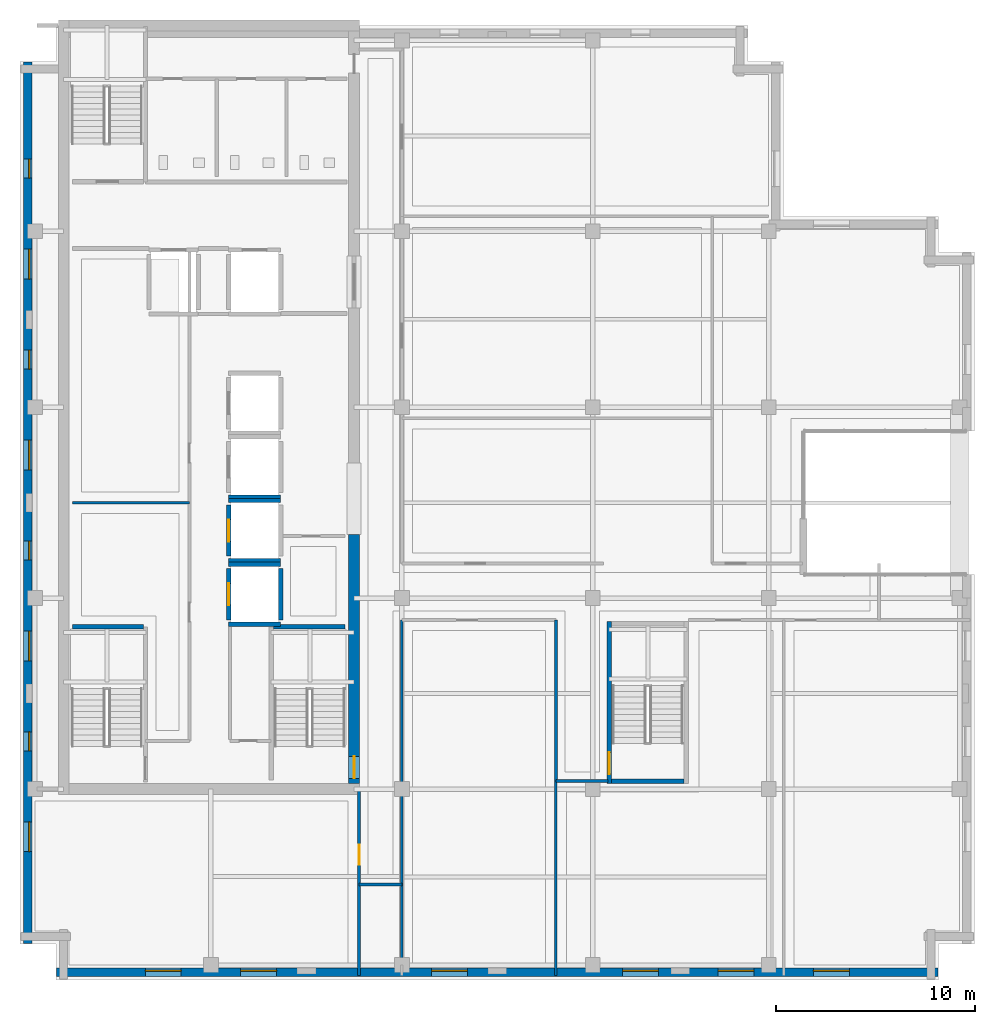
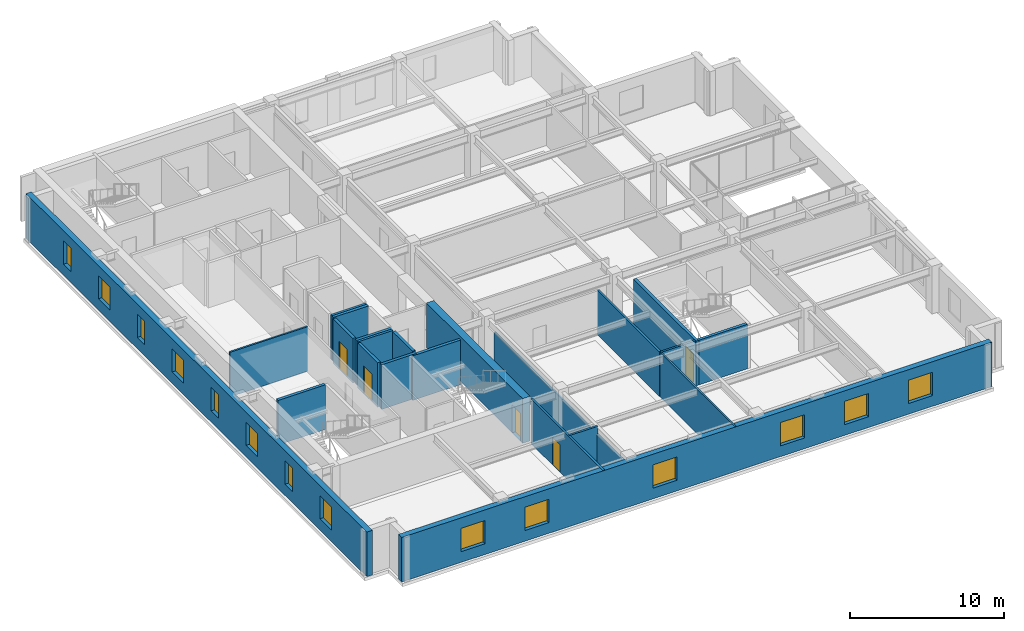
# One storey, part 3 of 11: 22 walls, 14 windows, 5 doors, 19 openings.
"""IFC4 building model written with IfcOpenShell, lengths in metres."""

from ifc_helpers import new_model, si_unit, direction, frame, frame_2d, origin, place, context, subcontext, project, spatial, rectangle, extrude, material, layer, layer_set, type_object, element, fill, save


model = new_model("IFC4")

# Units and contexts
model_context = context("Model", 3, precision=1e-05, world=origin(), true_north=direction((0.0, 1.0)))
body_context = subcontext(model_context, "Body", "Model", "MODEL_VIEW")
ifc_project = project(units=[si_unit("LENGTHUNIT", "METRE"), si_unit("AREAUNIT", "SQUARE_METRE"), si_unit("VOLUMEUNIT", "CUBIC_METRE"), si_unit("PLANEANGLEUNIT", "RADIAN"), si_unit("MASSUNIT", "GRAM", prefix="KILO")], contexts=[model_context])

# Site, building, storey
site_placement = place(None, origin())
site = spatial("IfcSite", under=ifc_project, at=site_placement, CompositionType="ELEMENT")
building_placement = place(site_placement, origin())
building = spatial("IfcBuilding", under=site, at=building_placement, Name="Norrvale University Quadrangle", CompositionType="ELEMENT")
storey_placement = place(building_placement, frame((0.0, 0.0, 281.0)))
storey = spatial("IfcBuildingStorey", under=building, at=storey_placement, Name="L71", CompositionType="ELEMENT", Elevation=281.0)

# Wall, openings, windows
ifc_material_1 = material(Name="Buff Norman Clay Brick Masonry", Category="masonry")
ifc_layer_1 = layer(ifc_material_1, 0.419921875, Name="Buff Norman Clay Brick Masonry")
ifc_layer_set_1 = layer_set([ifc_layer_1], Name="Buff Norman Clay Brick Masonry")
wall_type_1 = type_object("IfcWallType", Name="Wall Buff Brick 420", PredefinedType="SOLIDWALL", material=ifc_layer_set_1)
wall_1_placement = place(storey_placement, frame((1.840087890625, 0.389892578125, 0.0), z_axis=(0.0, 0.0, 1.0), x_axis=(1.0, 0.0, 0.0)))
wall_1 = element("IfcWall", 1, at=wall_1_placement, inside=storey, type_object=wall_type_1, Name="Exterior Brick Facade Wall L71-01.1", PredefinedType="SOLIDWALL", context=body_context, shape_type="SweptSolid", body=[
    extrude(rectangle(XDim=44.31982421875, YDim=0.419921875, at=frame_2d((22.159912109375, 0.0))), origin(), (0.0, 0.0, 1.0), 3.5400390625),
])
opening_1_placement = place(wall_1_placement, frame((4.4599609375, 0.0, 0.85009765625)))
opening_1 = element("IfcOpeningElement", 2, at=opening_1_placement, cuts=wall_1, Name="Opening W01", PredefinedType="OPENING", context=body_context, shape_type="SweptSolid", body=[
    extrude(rectangle(XDim=1.800048828125, YDim=1.85009765625, at=frame_2d((0.89990234375, 0.925048828125))), frame((0.0, 0.221923828125, 0.0), z_axis=(0.0, -1.0, 0.0), x_axis=(1.0, 0.0, 0.0)), (0.0, 0.0, 1.0), 0.44384765625),
])
opening_2_placement = place(wall_1_placement, frame((9.260009765625, 0.0, 0.85009765625)))
opening_2 = element("IfcOpeningElement", 3, at=opening_2_placement, cuts=wall_1, Name="Opening W01", PredefinedType="OPENING", context=body_context, shape_type="SweptSolid", body=[
    extrude(rectangle(XDim=1.800048828125, YDim=1.85009765625, at=frame_2d((0.89990234375, 0.925048828125))), frame((0.0, 0.221923828125, 0.0), z_axis=(0.0, -1.0, 0.0), x_axis=(1.0, 0.0, 0.0)), (0.0, 0.0, 1.0), 0.44384765625),
])
opening_3_placement = place(wall_1_placement, frame((18.860107421875, 0.0, 0.85009765625)))
opening_3 = element("IfcOpeningElement", 4, at=opening_3_placement, cuts=wall_1, Name="Opening W01", PredefinedType="OPENING", context=body_context, shape_type="SweptSolid", body=[
    extrude(rectangle(XDim=1.800048828125, YDim=1.85009765625, at=frame_2d((0.89990234375, 0.925048828125))), frame((0.0, 0.221923828125, 0.0), z_axis=(0.0, -1.0, 0.0), x_axis=(1.0, 0.0, 0.0)), (0.0, 0.0, 1.0), 0.44384765625),
])
opening_4_placement = place(wall_1_placement, frame((28.4599609375, 0.0, 0.85009765625)))
opening_4 = element("IfcOpeningElement", 5, at=opening_4_placement, cuts=wall_1, Name="Opening W01", PredefinedType="OPENING", context=body_context, shape_type="SweptSolid", body=[
    extrude(rectangle(XDim=1.800048828125, YDim=1.85009765625, at=frame_2d((0.89990234375, 0.925048828125))), frame((0.0, 0.221923828125, 0.0), z_axis=(0.0, -1.0, 0.0), x_axis=(1.0, 0.0, 0.0)), (0.0, 0.0, 1.0), 0.44384765625),
])
opening_5_placement = place(wall_1_placement, frame((33.260009765625, 0.0, 0.85009765625)))
opening_5 = element("IfcOpeningElement", 6, at=opening_5_placement, cuts=wall_1, Name="Opening W01", PredefinedType="OPENING", context=body_context, shape_type="SweptSolid", body=[
    extrude(rectangle(XDim=1.800048828125, YDim=1.85009765625, at=frame_2d((0.89990234375, 0.925048828125))), frame((0.0, 0.221923828125, 0.0), z_axis=(0.0, -1.0, 0.0), x_axis=(1.0, 0.0, 0.0)), (0.0, 0.0, 1.0), 0.44384765625),
])
opening_6_placement = place(wall_1_placement, frame((38.06005859375, 0.0, 0.85009765625)))
opening_6 = element("IfcOpeningElement", 7, at=opening_6_placement, cuts=wall_1, Name="Opening W01", PredefinedType="OPENING", context=body_context, shape_type="SweptSolid", body=[
    extrude(rectangle(XDim=1.800048828125, YDim=1.85009765625, at=frame_2d((0.89990234375, 0.925048828125))), frame((0.0, 0.221923828125, 0.0), z_axis=(0.0, -1.0, 0.0), x_axis=(1.0, 0.0, 0.0)), (0.0, 0.0, 1.0), 0.44384765625),
])
ifc_material_2 = material(Name="Triple Low-E Argon Glazing", Category="glass")
window_type_1 = type_object("IfcWindowType", Name="Window Academic 1800x2300", PartitioningType="DOUBLE_PANEL_VERTICAL", PredefinedType="WINDOW", material=ifc_material_2)
window_1_placement = place(opening_1_placement, origin())
window_1 = element("IfcWindow", 8, at=window_1_placement, inside=storey, type_object=window_type_1, Name="Window Academic 1800x2300 WIN-L71-E01-1-01", OverallHeight=1.85009765625, OverallWidth=1.800048828125, PartitioningType="DOUBLE_PANEL_VERTICAL", PredefinedType="WINDOW", context=body_context, shape_type="SweptSolid", body=[
    extrude(rectangle(XDim=1.800048828125, YDim=1.85009765625, at=frame_2d((0.89990234375, 0.925048828125))), frame((0.0, 0.110107421875, 0.0), z_axis=(0.0, -1.0, 0.0), x_axis=(1.0, 0.0, 0.0)), (0.0, 0.0, 1.0), 0.06005859375),
])
fill(opening_1, window_1)
window_2_placement = place(opening_2_placement, origin())
window_2 = element("IfcWindow", 9, at=window_2_placement, inside=storey, type_object=window_type_1, Name="Window Academic 1800x2300 WIN-L71-E01-1-02", OverallHeight=1.85009765625, OverallWidth=1.800048828125, PartitioningType="DOUBLE_PANEL_VERTICAL", PredefinedType="WINDOW", context=body_context, shape_type="SweptSolid", body=[
    extrude(rectangle(XDim=1.800048828125, YDim=1.85009765625, at=frame_2d((0.89990234375, 0.925048828125))), frame((0.0, 0.110107421875, 0.0), z_axis=(0.0, -1.0, 0.0), x_axis=(1.0, 0.0, 0.0)), (0.0, 0.0, 1.0), 0.06005859375),
])
fill(opening_2, window_2)
window_3_placement = place(opening_3_placement, origin())
window_3 = element("IfcWindow", 10, at=window_3_placement, inside=storey, type_object=window_type_1, Name="Window Academic 1800x2300 WIN-L71-E01-1-03", OverallHeight=1.85009765625, OverallWidth=1.800048828125, PartitioningType="DOUBLE_PANEL_VERTICAL", PredefinedType="WINDOW", context=body_context, shape_type="SweptSolid", body=[
    extrude(rectangle(XDim=1.800048828125, YDim=1.85009765625, at=frame_2d((0.89990234375, 0.925048828125))), frame((0.0, 0.110107421875, 0.0), z_axis=(0.0, -1.0, 0.0), x_axis=(1.0, 0.0, 0.0)), (0.0, 0.0, 1.0), 0.06005859375),
])
fill(opening_3, window_3)
window_4_placement = place(opening_4_placement, origin())
window_4 = element("IfcWindow", 11, at=window_4_placement, inside=storey, type_object=window_type_1, Name="Window Academic 1800x2300 WIN-L71-E01-1-04", OverallHeight=1.85009765625, OverallWidth=1.800048828125, PartitioningType="DOUBLE_PANEL_VERTICAL", PredefinedType="WINDOW", context=body_context, shape_type="SweptSolid", body=[
    extrude(rectangle(XDim=1.800048828125, YDim=1.85009765625, at=frame_2d((0.89990234375, 0.925048828125))), frame((0.0, 0.110107421875, 0.0), z_axis=(0.0, -1.0, 0.0), x_axis=(1.0, 0.0, 0.0)), (0.0, 0.0, 1.0), 0.06005859375),
])
fill(opening_4, window_4)
window_5_placement = place(opening_5_placement, origin())
window_5 = element("IfcWindow", 12, at=window_5_placement, inside=storey, type_object=window_type_1, Name="Window Academic 1800x2300 WIN-L71-E01-1-05", OverallHeight=1.85009765625, OverallWidth=1.800048828125, PartitioningType="DOUBLE_PANEL_VERTICAL", PredefinedType="WINDOW", context=body_context, shape_type="SweptSolid", body=[
    extrude(rectangle(XDim=1.800048828125, YDim=1.85009765625, at=frame_2d((0.89990234375, 0.925048828125))), frame((0.0, 0.110107421875, 0.0), z_axis=(0.0, -1.0, 0.0), x_axis=(1.0, 0.0, 0.0)), (0.0, 0.0, 1.0), 0.06005859375),
])
fill(opening_5, window_5)
window_6_placement = place(opening_6_placement, origin())
window_6 = element("IfcWindow", 13, at=window_6_placement, inside=storey, type_object=window_type_1, Name="Window Academic 1800x2300 WIN-L71-E01-1-06", OverallHeight=1.85009765625, OverallWidth=1.800048828125, PartitioningType="DOUBLE_PANEL_VERTICAL", PredefinedType="WINDOW", context=body_context, shape_type="SweptSolid", body=[
    extrude(rectangle(XDim=1.800048828125, YDim=1.85009765625, at=frame_2d((0.89990234375, 0.925048828125))), frame((0.0, 0.110107421875, 0.0), z_axis=(0.0, -1.0, 0.0), x_axis=(1.0, 0.0, 0.0)), (0.0, 0.0, 1.0), 0.06005859375),
])
fill(opening_6, window_6)

wall_2_placement = place(storey_placement, frame((0.389892578125, 46.159912109375, 0.0), z_axis=(0.0, 0.0, 1.0), x_axis=(0.0, -1.0, 0.0)))
wall_2 = element("IfcWall", 14, at=wall_2_placement, inside=storey, type_object=wall_type_1, Name="Exterior Brick Facade Wall L71-14.1", PredefinedType="SOLIDWALL", context=body_context, shape_type="SweptSolid", body=[
    extrude(rectangle(XDim=44.31982421875, YDim=0.419921875, at=frame_2d((22.159912109375, 0.0))), origin(), (0.0, 0.0, 1.0), 3.5400390625),
])
opening_7_placement = place(wall_2_placement, frame((4.885009765625, 0.0, 0.89990234375)))
opening_7 = element("IfcOpeningElement", 15, at=opening_7_placement, cuts=wall_2, Name="Opening W04", PredefinedType="OPENING", context=body_context, shape_type="SweptSolid", body=[
    extrude(rectangle(XDim=0.949951171875, YDim=1.85009765625, at=frame_2d((0.47509765625, 0.925048828125))), frame((0.0, 0.221923828125, 0.0), z_axis=(0.0, -1.0, 0.0), x_axis=(1.0, 0.0, 0.0)), (0.0, 0.0, 1.0), 0.44384765625),
])
opening_8_placement = place(wall_2_placement, frame((9.409912109375, 0.0, 0.89990234375)))
opening_8 = element("IfcOpeningElement", 16, at=opening_8_placement, cuts=wall_2, Name="Opening W03", PredefinedType="OPENING", context=body_context, shape_type="SweptSolid", body=[
    extrude(rectangle(XDim=1.5, YDim=1.85009765625, at=frame_2d((0.75, 0.925048828125))), frame((0.0, 0.221923828125, 0.0), z_axis=(0.0, -1.0, 0.0), x_axis=(1.0, 0.0, 0.0)), (0.0, 0.0, 1.0), 0.44384765625),
])
opening_9_placement = place(wall_2_placement, frame((14.485107421875, 0.0, 0.89990234375)))
opening_9 = element("IfcOpeningElement", 17, at=opening_9_placement, cuts=wall_2, Name="Opening W04", PredefinedType="OPENING", context=body_context, shape_type="SweptSolid", body=[
    extrude(rectangle(XDim=0.949951171875, YDim=1.85009765625, at=frame_2d((0.47509765625, 0.925048828125))), frame((0.0, 0.221923828125, 0.0), z_axis=(0.0, -1.0, 0.0), x_axis=(1.0, 0.0, 0.0)), (0.0, 0.0, 1.0), 0.44384765625),
])
opening_10_placement = place(wall_2_placement, frame((19.010009765625, 0.0, 0.89990234375)))
opening_10 = element("IfcOpeningElement", 18, at=opening_10_placement, cuts=wall_2, Name="Opening W03", PredefinedType="OPENING", context=body_context, shape_type="SweptSolid", body=[
    extrude(rectangle(XDim=1.5, YDim=1.85009765625, at=frame_2d((0.75, 0.925048828125))), frame((0.0, 0.221923828125, 0.0), z_axis=(0.0, -1.0, 0.0), x_axis=(1.0, 0.0, 0.0)), (0.0, 0.0, 1.0), 0.44384765625),
])
opening_11_placement = place(wall_2_placement, frame((24.0849609375, 0.0, 0.89990234375)))
opening_11 = element("IfcOpeningElement", 19, at=opening_11_placement, cuts=wall_2, Name="Opening W04", PredefinedType="OPENING", context=body_context, shape_type="SweptSolid", body=[
    extrude(rectangle(XDim=0.949951171875, YDim=1.85009765625, at=frame_2d((0.47509765625, 0.925048828125))), frame((0.0, 0.221923828125, 0.0), z_axis=(0.0, -1.0, 0.0), x_axis=(1.0, 0.0, 0.0)), (0.0, 0.0, 1.0), 0.44384765625),
])
opening_12_placement = place(wall_2_placement, frame((28.610107421875, 0.0, 0.89990234375)))
opening_12 = element("IfcOpeningElement", 20, at=opening_12_placement, cuts=wall_2, Name="Opening W03", PredefinedType="OPENING", context=body_context, shape_type="SweptSolid", body=[
    extrude(rectangle(XDim=1.5, YDim=1.85009765625, at=frame_2d((0.75, 0.925048828125))), frame((0.0, 0.221923828125, 0.0), z_axis=(0.0, -1.0, 0.0), x_axis=(1.0, 0.0, 0.0)), (0.0, 0.0, 1.0), 0.44384765625),
])
opening_13_placement = place(wall_2_placement, frame((33.68505859375, 0.0, 0.89990234375)))
opening_13 = element("IfcOpeningElement", 21, at=opening_13_placement, cuts=wall_2, Name="Opening W04", PredefinedType="OPENING", context=body_context, shape_type="SweptSolid", body=[
    extrude(rectangle(XDim=0.949951171875, YDim=1.85009765625, at=frame_2d((0.47509765625, 0.925048828125))), frame((0.0, 0.221923828125, 0.0), z_axis=(0.0, -1.0, 0.0), x_axis=(1.0, 0.0, 0.0)), (0.0, 0.0, 1.0), 0.44384765625),
])
opening_14_placement = place(wall_2_placement, frame((38.2099609375, 0.0, 0.89990234375)))
opening_14 = element("IfcOpeningElement", 22, at=opening_14_placement, cuts=wall_2, Name="Opening W03", PredefinedType="OPENING", context=body_context, shape_type="SweptSolid", body=[
    extrude(rectangle(XDim=1.5, YDim=1.85009765625, at=frame_2d((0.75, 0.925048828125))), frame((0.0, 0.221923828125, 0.0), z_axis=(0.0, -1.0, 0.0), x_axis=(1.0, 0.0, 0.0)), (0.0, 0.0, 1.0), 0.44384765625),
])
window_type_2 = type_object("IfcWindowType", Name="Window Narrow Pier 950x2300", PartitioningType="SINGLE_PANEL", PredefinedType="WINDOW", material=ifc_material_2)
window_7_placement = place(opening_7_placement, origin())
window_7 = element("IfcWindow", 23, at=window_7_placement, inside=storey, type_object=window_type_2, Name="Window Narrow Pier 950x2300 WIN-L71-E14-1-01", OverallHeight=1.85009765625, OverallWidth=0.949951171875, PartitioningType="SINGLE_PANEL", PredefinedType="WINDOW", context=body_context, shape_type="SweptSolid", body=[
    extrude(rectangle(XDim=0.949951171875, YDim=1.85009765625, at=frame_2d((0.47509765625, 0.925048828125))), frame((0.0, 0.110107421875, 0.0), z_axis=(0.0, -1.0, 0.0), x_axis=(1.0, 0.0, 0.0)), (0.0, 0.0, 1.0), 0.06005859375),
])
fill(opening_7, window_7)
window_8_placement = place(opening_9_placement, origin())
window_8 = element("IfcWindow", 24, at=window_8_placement, inside=storey, type_object=window_type_2, Name="Window Narrow Pier 950x2300 WIN-L71-E14-1-03", OverallHeight=1.85009765625, OverallWidth=0.949951171875, PartitioningType="SINGLE_PANEL", PredefinedType="WINDOW", context=body_context, shape_type="SweptSolid", body=[
    extrude(rectangle(XDim=0.949951171875, YDim=1.85009765625, at=frame_2d((0.47509765625, 0.925048828125))), frame((0.0, 0.110107421875, 0.0), z_axis=(0.0, -1.0, 0.0), x_axis=(1.0, 0.0, 0.0)), (0.0, 0.0, 1.0), 0.06005859375),
])
fill(opening_9, window_8)
window_9_placement = place(opening_11_placement, origin())
window_9 = element("IfcWindow", 25, at=window_9_placement, inside=storey, type_object=window_type_2, Name="Window Narrow Pier 950x2300 WIN-L71-E14-1-05", OverallHeight=1.85009765625, OverallWidth=0.949951171875, PartitioningType="SINGLE_PANEL", PredefinedType="WINDOW", context=body_context, shape_type="SweptSolid", body=[
    extrude(rectangle(XDim=0.949951171875, YDim=1.85009765625, at=frame_2d((0.47509765625, 0.925048828125))), frame((0.0, 0.110107421875, 0.0), z_axis=(0.0, -1.0, 0.0), x_axis=(1.0, 0.0, 0.0)), (0.0, 0.0, 1.0), 0.06005859375),
])
fill(opening_11, window_9)
window_10_placement = place(opening_13_placement, origin())
window_10 = element("IfcWindow", 26, at=window_10_placement, inside=storey, type_object=window_type_2, Name="Window Narrow Pier 950x2300 WIN-L71-E14-1-07", OverallHeight=1.85009765625, OverallWidth=0.949951171875, PartitioningType="SINGLE_PANEL", PredefinedType="WINDOW", context=body_context, shape_type="SweptSolid", body=[
    extrude(rectangle(XDim=0.949951171875, YDim=1.85009765625, at=frame_2d((0.47509765625, 0.925048828125))), frame((0.0, 0.110107421875, 0.0), z_axis=(0.0, -1.0, 0.0), x_axis=(1.0, 0.0, 0.0)), (0.0, 0.0, 1.0), 0.06005859375),
])
fill(opening_13, window_10)
window_type_3 = type_object("IfcWindowType", Name="Window Studio 1500x2300", PartitioningType="DOUBLE_PANEL_VERTICAL", PredefinedType="WINDOW", material=ifc_material_2)
window_11_placement = place(opening_8_placement, origin())
window_11 = element("IfcWindow", 27, at=window_11_placement, inside=storey, type_object=window_type_3, Name="Window Studio 1500x2300 WIN-L71-E14-1-02", OverallHeight=1.85009765625, OverallWidth=1.5, PartitioningType="DOUBLE_PANEL_VERTICAL", PredefinedType="WINDOW", context=body_context, shape_type="SweptSolid", body=[
    extrude(rectangle(XDim=1.5, YDim=1.85009765625, at=frame_2d((0.75, 0.925048828125))), frame((0.0, 0.110107421875, 0.0), z_axis=(0.0, -1.0, 0.0), x_axis=(1.0, 0.0, 0.0)), (0.0, 0.0, 1.0), 0.06005859375),
])
fill(opening_8, window_11)
window_12_placement = place(opening_10_placement, origin())
window_12 = element("IfcWindow", 28, at=window_12_placement, inside=storey, type_object=window_type_3, Name="Window Studio 1500x2300 WIN-L71-E14-1-04", OverallHeight=1.85009765625, OverallWidth=1.5, PartitioningType="DOUBLE_PANEL_VERTICAL", PredefinedType="WINDOW", context=body_context, shape_type="SweptSolid", body=[
    extrude(rectangle(XDim=1.5, YDim=1.85009765625, at=frame_2d((0.75, 0.925048828125))), frame((0.0, 0.110107421875, 0.0), z_axis=(0.0, -1.0, 0.0), x_axis=(1.0, 0.0, 0.0)), (0.0, 0.0, 1.0), 0.06005859375),
])
fill(opening_10, window_12)
window_13_placement = place(opening_12_placement, origin())
window_13 = element("IfcWindow", 29, at=window_13_placement, inside=storey, type_object=window_type_3, Name="Window Studio 1500x2300 WIN-L71-E14-1-06", OverallHeight=1.85009765625, OverallWidth=1.5, PartitioningType="DOUBLE_PANEL_VERTICAL", PredefinedType="WINDOW", context=body_context, shape_type="SweptSolid", body=[
    extrude(rectangle(XDim=1.5, YDim=1.85009765625, at=frame_2d((0.75, 0.925048828125))), frame((0.0, 0.110107421875, 0.0), z_axis=(0.0, -1.0, 0.0), x_axis=(1.0, 0.0, 0.0)), (0.0, 0.0, 1.0), 0.06005859375),
])
fill(opening_12, window_13)
window_14_placement = place(opening_14_placement, origin())
window_14 = element("IfcWindow", 30, at=window_14_placement, inside=storey, type_object=window_type_3, Name="Window Studio 1500x2300 WIN-L71-E14-1-08", OverallHeight=1.85009765625, OverallWidth=1.5, PartitioningType="DOUBLE_PANEL_VERTICAL", PredefinedType="WINDOW", context=body_context, shape_type="SweptSolid", body=[
    extrude(rectangle(XDim=1.5, YDim=1.85009765625, at=frame_2d((0.75, 0.925048828125))), frame((0.0, 0.110107421875, 0.0), z_axis=(0.0, -1.0, 0.0), x_axis=(1.0, 0.0, 0.0)), (0.0, 0.0, 1.0), 0.06005859375),
])
fill(opening_14, window_14)

# Wall, opening, door
ifc_material_3 = material(Name="Concrete C60/75", Category="concrete")
ifc_layer_2 = layer(ifc_material_3, 0.550048828125, Name="Concrete C60/75")
ifc_layer_set_2 = layer_set([ifc_layer_2], Name="Concrete C60/75")
wall_type_2 = type_object("IfcWallType", Name="Wall Core 550", PredefinedType="SHEAR", material=ifc_layer_set_2)
wall_3_placement = place(storey_placement, frame((16.800048828125, 9.875, 0.0), z_axis=(0.0, 0.0, 1.0), x_axis=(0.0, 1.0, 0.0)))
wall_3 = element("IfcWall", 31, at=wall_3_placement, inside=storey, type_object=wall_type_2, Name="Tower Core Shear Wall L71-E1", PredefinedType="SHEAR", context=body_context, shape_type="SweptSolid", body=[
    extrude(rectangle(XDim=12.52490234375, YDim=0.550048828125, at=frame_2d((6.262451171875, 0.0))), origin(), (0.0, 0.0, 1.0), 3.5400390625),
])
opening_15_placement = place(wall_3_placement, frame((0.264892578125, 0.0, 0.0)))
opening_15 = element("IfcOpeningElement", 32, at=opening_15_placement, cuts=wall_3, Name="Opening D02", PredefinedType="OPENING", context=body_context, shape_type="SweptSolid", body=[
    extrude(rectangle(XDim=1.10009765625, YDim=2.199951171875, at=frame_2d((0.550048828125, 1.10009765625))), frame((0.0, 0.287109375, 0.0), z_axis=(0.0, -1.0, 0.0), x_axis=(1.0, 0.0, 0.0)), (0.0, 0.0, 1.0), 0.573974609375),
])
ifc_material_4 = material(Name="Hollow Steel 350W Fire Door", Category="steel")
door_type_1 = type_object("IfcDoorType", Name="Door Stair Exit 1100x2200", OperationType="NOTDEFINED", PredefinedType="DOOR", material=ifc_material_4)
door_1_placement = place(opening_15_placement, origin())
door_1 = element("IfcDoor", 33, at=door_1_placement, inside=storey, type_object=door_type_1, Name="Door Stair Exit 1100x2200 DR-L71-ST03", OperationType="SINGLE_SWING_LEFT", OverallHeight=2.199951171875, OverallWidth=1.10009765625, PredefinedType="DOOR", context=body_context, shape_type="SweptSolid", body=[
    extrude(rectangle(XDim=1.10009765625, YDim=2.199951171875, at=frame_2d((0.550048828125, 1.10009765625))), frame((0.0, 0.02490234375, 0.0), z_axis=(0.0, -1.0, 0.0), x_axis=(1.0, 0.0, 0.0)), (0.0, 0.0, 1.0), 0.050048828125),
])
fill(opening_15, door_1)

# Walls
ifc_material_5 = material(Name="Standard Academic Gypsum Partition")
ifc_layer_3 = layer(ifc_material_5, 0.125, Name="Standard Academic Gypsum Partition")
ifc_layer_set_3 = layer_set([ifc_layer_3], Name="Standard Academic Gypsum Partition")
wall_type_3 = type_object("IfcWallType", Name="Wall Gypsum Academic 125", PredefinedType="PARTITIONING", material=ifc_layer_set_3)
wall_4_placement = place(storey_placement, frame((2.64990234375, 24.0, 0.0), z_axis=(0.0, 0.0, 1.0), x_axis=(1.0, 0.0, 0.0)))
element("IfcWall", 34, at=wall_4_placement, inside=storey, type_object=wall_type_3, Name="Interior Partition WL-L71-REC-M", PredefinedType="PARTITIONING", context=body_context, shape_type="SweptSolid", body=[
    extrude(rectangle(XDim=5.8701171875, YDim=0.125, at=frame_2d((2.93505859375, 0.0))), origin(), (0.0, 0.0, 1.0), 3.5400390625),
])
wall_5_placement = place(storey_placement, frame((19.199951171875, 0.75, 0.0), z_axis=(0.0, 0.0, 1.0), x_axis=(0.0, 1.0, 0.0)))
element("IfcWall", 35, at=wall_5_placement, inside=storey, type_object=wall_type_3, Name="Interior Partition WL-L71-SE-W0-B2", PredefinedType="PARTITIONING", context=body_context, shape_type="SweptSolid", body=[
    extrude(rectangle(XDim=17.35009765625, YDim=0.125, at=frame_2d((8.675048828125, 0.0))), origin(), (0.0, 0.0, 1.0), 2.923095703125),
])
wall_6_placement = place(storey_placement, frame((26.949951171875, 0.219970703125, 0.0), z_axis=(0.0, 0.0, 1.0), x_axis=(0.0, 1.0, 0.0)))
element("IfcWall", 36, at=wall_6_placement, inside=storey, type_object=wall_type_3, Name="Interior Partition WL-L71-SEP1A", PredefinedType="PARTITIONING", context=body_context, shape_type="SweptSolid", body=[
    extrude(rectangle(XDim=9.780029296875, YDim=0.125, at=frame_2d((4.89013671875, 0.0))), origin(), (0.0, 0.0, 1.0), 3.5400390625),
])
ifc_material_6 = material(Name="Fire-Rated Gypsum Stud Partition")
ifc_layer_4 = layer(ifc_material_6, 0.14990234375, Name="Fire-Rated Gypsum Stud Partition")
ifc_layer_set_4 = layer_set([ifc_layer_4], Name="Fire-Rated Gypsum Stud Partition")
wall_type_4 = type_object("IfcWallType", Name="Wall Gypsum Corridor 150", PredefinedType="PARTITIONING", material=ifc_layer_set_4)
wall_7_placement = place(storey_placement, frame((17.050048828125, 4.800048828125, 0.0), z_axis=(0.0, 0.0, 1.0), x_axis=(1.0, 0.0, 0.0)))
element("IfcWall", 37, at=wall_7_placement, inside=storey, type_object=wall_type_4, Name="Interior Partition WL-L71-CSP-S", PredefinedType="PARTITIONING", context=body_context, shape_type="SweptSolid", body=[
    extrude(rectangle(XDim=2.14990234375, YDim=0.14990234375, at=frame_2d((1.074951171875, 0.0))), origin(), (0.0, 0.0, 1.0), 3.5400390625),
])

# Wall, opening, door
wall_8_placement = place(storey_placement, frame((17.050048828125, 0.219970703125, 0.0), z_axis=(0.0, 0.0, 1.0), x_axis=(0.0, 1.0, 0.0)))
wall_8 = element("IfcWall", 38, at=wall_8_placement, inside=storey, type_object=wall_type_4, Name="Interior Partition WL-L71-SW-E", PredefinedType="PARTITIONING", context=body_context, shape_type="SweptSolid", body=[
    extrude(rectangle(XDim=9.380126953125, YDim=0.14990234375, at=frame_2d((4.68994140625, 0.0))), origin(), (0.0, 0.0, 1.0), 3.5400390625),
])
opening_16_placement = place(wall_8_placement, frame((5.580078125, 0.0, 0.0)))
opening_16 = element("IfcOpeningElement", 39, at=opening_16_placement, cuts=wall_8, Name="Opening D04", PredefinedType="OPENING", context=body_context, shape_type="SweptSolid", body=[
    extrude(rectangle(XDim=1.0, YDim=2.199951171875, at=frame_2d((0.5, 1.10009765625))), frame((0.0, 0.0869140625, 0.0), z_axis=(0.0, -1.0, 0.0), x_axis=(1.0, 0.0, 0.0)), (0.0, 0.0, 1.0), 0.173828125),
])
ifc_material_7 = material(Name="Solid-Core Oak Fire Door", Category="wood")
door_type_2 = type_object("IfcDoorType", Name="Door Corridor 1000x2200", OperationType="NOTDEFINED", PredefinedType="DOOR", material=ifc_material_7)
door_2_placement = place(opening_16_placement, origin())
door_2 = element("IfcDoor", 40, at=door_2_placement, inside=storey, type_object=door_type_2, Name="Door Corridor 1000x2200 DR-L71-SW1", OperationType="SINGLE_SWING_LEFT", OverallHeight=2.199951171875, OverallWidth=1.0, PredefinedType="DOOR", context=body_context, shape_type="SweptSolid", body=[
    extrude(rectangle(XDim=1.0, YDim=2.199951171875, at=frame_2d((0.5, 1.10009765625))), frame((0.0, 0.02490234375, 0.0), z_axis=(0.0, -1.0, 0.0), x_axis=(1.0, 0.0, 0.0)), (0.0, 0.0, 1.0), 0.050048828125),
])
fill(opening_16, door_2)

# Walls
wall_9_placement = place(storey_placement, frame((26.949951171875, 10.0, 0.0), z_axis=(0.0, 0.0, 1.0), x_axis=(0.0, 1.0, 0.0)))
element("IfcWall", 41, at=wall_9_placement, inside=storey, type_object=wall_type_4, Name="Interior Partition WL-L71-SEP1B", PredefinedType="PARTITIONING", context=body_context, shape_type="SweptSolid", body=[
    extrude(rectangle(XDim=8.10009765625, YDim=0.14990234375, at=frame_2d((4.050048828125, 0.0))), origin(), (0.0, 0.0, 1.0), 3.5400390625),
])
wall_10_placement = place(storey_placement, frame((26.949951171875, 10.0, 0.0), z_axis=(0.0, 0.0, 1.0), x_axis=(1.0, 0.0, 0.0)))
element("IfcWall", 42, at=wall_10_placement, inside=storey, type_object=wall_type_4, Name="Interior Partition WL-L71-SEP1C", PredefinedType="PARTITIONING", context=body_context, shape_type="SweptSolid", body=[
    extrude(rectangle(XDim=2.630126953125, YDim=0.14990234375, at=frame_2d((1.31494140625, 0.0))), origin(), (0.0, 0.0, 1.0), 3.5400390625),
])
ifc_material_8 = material(Name="Concrete Blockwork 20 MPa Fire Shaft", Category="masonry")
ifc_layer_5 = layer(ifc_material_8, 0.219970703125, Name="Concrete Blockwork 20 MPa Fire Shaft")
ifc_layer_set_5 = layer_set([ifc_layer_5], Name="Concrete Blockwork 20 MPa Fire Shaft")
wall_type_5 = type_object("IfcWallType", Name="Wall Shaft 220", PredefinedType="SOLIDWALL", material=ifc_layer_set_5)
wall_11_placement = place(storey_placement, frame((2.64990234375, 17.760009765625, 0.0), z_axis=(0.0, 0.0, 1.0), x_axis=(1.0, 0.0, 0.0)))
element("IfcWall", 43, at=wall_11_placement, inside=storey, type_object=wall_type_5, Name="Stair ST-01 North Shaft Wall L71", PredefinedType="SOLIDWALL", context=body_context, shape_type="SweptSolid", body=[
    extrude(rectangle(XDim=3.550048828125, YDim=0.219970703125, at=frame_2d((1.77490234375, 0.0))), origin(), (0.0, 0.0, 1.0), 3.5400390625),
])
wall_12_placement = place(storey_placement, frame((12.75, 17.760009765625, 0.0), z_axis=(0.0, 0.0, 1.0), x_axis=(1.0, 0.0, 0.0)))
element("IfcWall", 44, at=wall_12_placement, inside=storey, type_object=wall_type_5, Name="Stair ST-03 North Shaft Wall L71", PredefinedType="SOLIDWALL", context=body_context, shape_type="SweptSolid", body=[
    extrude(rectangle(XDim=3.60009765625, YDim=0.219970703125, at=frame_2d((1.800048828125, 0.0))), origin(), (0.0, 0.0, 1.0), 3.5400390625),
])
wall_13_placement = place(storey_placement, frame((29.75, 9.989990234375, 0.0), z_axis=(0.0, 0.0, 1.0), x_axis=(1.0, 0.0, 0.0)))
element("IfcWall", 45, at=wall_13_placement, inside=storey, type_object=wall_type_5, Name="Stair ST-04 South Shaft Wall L71", PredefinedType="SOLIDWALL", context=body_context, shape_type="SweptSolid", body=[
    extrude(rectangle(XDim=3.64990234375, YDim=0.219970703125, at=frame_2d((1.824951171875, 0.0))), origin(), (0.0, 0.0, 1.0), 3.5400390625),
])

# Wall, opening, door
wall_14_placement = place(storey_placement, frame((29.639892578125, 9.8798828125, 0.0), z_axis=(0.0, 0.0, 1.0), x_axis=(0.0, 1.0, 0.0)))
wall_14 = element("IfcWall", 46, at=wall_14_placement, inside=storey, type_object=wall_type_5, Name="Stair ST-04 West Shaft Wall L71", PredefinedType="SOLIDWALL", context=body_context, shape_type="SweptSolid", body=[
    extrude(rectangle(XDim=8.14013671875, YDim=0.219970703125, at=frame_2d((4.070068359375, 0.0))), origin(), (0.0, 0.0, 1.0), 3.5400390625),
])
opening_17_placement = place(wall_14_placement, frame((0.469970703125, 0.0, 0.0)))
opening_17 = element("IfcOpeningElement", 47, at=opening_17_placement, cuts=wall_14, Name="Opening D02", PredefinedType="OPENING", context=body_context, shape_type="SweptSolid", body=[
    extrude(rectangle(XDim=1.10009765625, YDim=2.199951171875, at=frame_2d((0.550048828125, 1.10009765625))), frame((0.0, 0.1220703125, 0.0), z_axis=(0.0, -1.0, 0.0), x_axis=(1.0, 0.0, 0.0)), (0.0, 0.0, 1.0), 0.243896484375),
])
door_3_placement = place(opening_17_placement, frame((1.10009765625, 0.0, 0.0), z_axis=(0.0, 0.0, 1.0), x_axis=(-1.0, 0.0, 0.0)))
door_3 = element("IfcDoor", 48, at=door_3_placement, inside=storey, type_object=door_type_1, Name="Door Stair Exit 1100x2200 DR-L71-ST04", OperationType="SINGLE_SWING_RIGHT", OverallHeight=2.199951171875, OverallWidth=1.10009765625, PredefinedType="DOOR", context=body_context, shape_type="SweptSolid", body=[
    extrude(rectangle(XDim=1.10009765625, YDim=2.199951171875, at=frame_2d((0.550048828125, 1.10009765625))), frame((0.0, 0.02490234375, 0.0), z_axis=(0.0, -1.0, 0.0), x_axis=(1.0, 0.0, 0.0)), (0.0, 0.0, 1.0), 0.050048828125),
])
fill(opening_17, door_3)

wall_15_placement = place(storey_placement, frame((10.489990234375, 18.110107421875, 0.0), z_axis=(0.0, 0.0, 1.0), x_axis=(0.0, 1.0, 0.0)))
wall_15 = element("IfcWall", 49, at=wall_15_placement, inside=storey, type_object=wall_type_5, Name="Hoistway PL-05 West Wall L71", PredefinedType="SOLIDWALL", context=body_context, shape_type="SweptSolid", body=[
    extrude(rectangle(XDim=2.579833984375, YDim=0.219970703125, at=frame_2d((1.2900390625, 0.0))), origin(), (0.0, 0.0, 1.0), 3.5400390625),
])
opening_18_placement = place(wall_15_placement, frame((0.739990234375, 0.0, 0.0)))
opening_18 = element("IfcOpeningElement", 50, at=opening_18_placement, cuts=wall_15, Name="Opening LD1", PredefinedType="OPENING", context=body_context, shape_type="SweptSolid", body=[
    extrude(rectangle(XDim=1.10009765625, YDim=2.199951171875, at=frame_2d((0.550048828125, 1.10009765625))), frame((0.0, 0.1220703125, 0.0), z_axis=(0.0, -1.0, 0.0), x_axis=(1.0, 0.0, 0.0)), (0.0, 0.0, 1.0), 0.243896484375),
])
ifc_material_9 = material(Name="Stainless Steel 316L Lift Landing Door", Category="steel")
door_type_3 = type_object("IfcDoorType", Name="Door Lift Landing 1100x2200", OperationType="DOUBLE_DOOR_SLIDING", PredefinedType="DOOR", material=ifc_material_9)
door_4_placement = place(opening_18_placement, origin())
door_4 = element("IfcDoor", 51, at=door_4_placement, inside=storey, type_object=door_type_3, Name="Elevator Landing Door DR-L71-PL-05", OperationType="DOUBLE_DOOR_SLIDING", OverallHeight=2.199951171875, OverallWidth=1.10009765625, PredefinedType="DOOR", context=body_context, shape_type="SweptSolid", body=[
    extrude(rectangle(XDim=1.10009765625, YDim=2.199951171875, at=frame_2d((0.550048828125, 1.10009765625))), frame((0.0, 0.02490234375, 0.0), z_axis=(0.0, -1.0, 0.0), x_axis=(1.0, 0.0, 0.0)), (0.0, 0.0, 1.0), 0.050048828125),
])
fill(opening_18, door_4)

# Walls
wall_16_placement = place(storey_placement, frame((13.110107421875, 18.110107421875, 0.0), z_axis=(0.0, 0.0, 1.0), x_axis=(0.0, 1.0, 0.0)))
element("IfcWall", 52, at=wall_16_placement, inside=storey, type_object=wall_type_5, Name="Hoistway PL-05 East Wall L71", PredefinedType="SOLIDWALL", context=body_context, shape_type="SweptSolid", body=[
    extrude(rectangle(XDim=2.579833984375, YDim=0.219970703125, at=frame_2d((1.2900390625, 0.0))), origin(), (0.0, 0.0, 1.0), 3.5400390625),
])
for number, where, z_axis, x_axis, name in (
    (53, (10.489990234375, 17.889892578125, 0.0), (0.0, 0.0, 1.0), (1.0, 0.0, 0.0), "Hoistway PL-05 South Wall L71"),
    (54, (10.489990234375, 20.909912109375, 0.0), (0.0, 0.0, 1.0), (1.0, 0.0, 0.0), "Hoistway PL-05 North Wall L71"),
):
    element("IfcWall", number, at=place(storey_placement, frame(where, z_axis=z_axis, x_axis=x_axis)), inside=storey, type_object=wall_type_5, Name=name, PredefinedType="SOLIDWALL", context=body_context, shape_type="SweptSolid", body=[
        extrude(rectangle(XDim=2.6201171875, YDim=0.219970703125, at=frame_2d((1.31005859375, 0.0))), origin(), (0.0, 0.0, 1.0), 3.5400390625),
    ])

# Wall, opening, door
wall_17_placement = place(storey_placement, frame((10.489990234375, 21.31005859375, 0.0), z_axis=(0.0, 0.0, 1.0), x_axis=(0.0, 1.0, 0.0)))
wall_17 = element("IfcWall", 55, at=wall_17_placement, inside=storey, type_object=wall_type_5, Name="Hoistway PL-06 West Wall L71", PredefinedType="SOLIDWALL", context=body_context, shape_type="SweptSolid", body=[
    extrude(rectangle(XDim=2.579833984375, YDim=0.219970703125, at=frame_2d((1.2900390625, 0.0))), origin(), (0.0, 0.0, 1.0), 3.5400390625),
])
opening_19_placement = place(wall_17_placement, frame((0.739990234375, 0.0, 0.0)))
opening_19 = element("IfcOpeningElement", 56, at=opening_19_placement, cuts=wall_17, Name="Opening LD1", PredefinedType="OPENING", context=body_context, shape_type="SweptSolid", body=[
    extrude(rectangle(XDim=1.10009765625, YDim=2.199951171875, at=frame_2d((0.550048828125, 1.10009765625))), frame((0.0, 0.1220703125, 0.0), z_axis=(0.0, -1.0, 0.0), x_axis=(1.0, 0.0, 0.0)), (0.0, 0.0, 1.0), 0.243896484375),
])
door_5_placement = place(opening_19_placement, origin())
door_5 = element("IfcDoor", 57, at=door_5_placement, inside=storey, type_object=door_type_3, Name="Elevator Landing Door DR-L71-PL-06", OperationType="DOUBLE_DOOR_SLIDING", OverallHeight=2.199951171875, OverallWidth=1.10009765625, PredefinedType="DOOR", context=body_context, shape_type="SweptSolid", body=[
    extrude(rectangle(XDim=1.10009765625, YDim=2.199951171875, at=frame_2d((0.550048828125, 1.10009765625))), frame((0.0, 0.02490234375, 0.0), z_axis=(0.0, -1.0, 0.0), x_axis=(1.0, 0.0, 0.0)), (0.0, 0.0, 1.0), 0.050048828125),
])
fill(opening_19, door_5)

# Walls
for number, where, z_axis, x_axis, name in (
    (58, (10.489990234375, 21.090087890625, 0.0), (0.0, 0.0, 1.0), (1.0, 0.0, 0.0), "Hoistway PL-06 South Wall L71"),
    (59, (10.489990234375, 24.110107421875, 0.0), (0.0, 0.0, 1.0), (1.0, 0.0, 0.0), "Hoistway PL-06 North Wall L71"),
    (60, (10.489990234375, 24.2900390625, 0.0), (0.0, 0.0, 1.0), (1.0, 0.0, 0.0), "Hoistway PL-07 South Wall L71"),
):
    element("IfcWall", number, at=place(storey_placement, frame(where, z_axis=z_axis, x_axis=x_axis)), inside=storey, type_object=wall_type_5, Name=name, PredefinedType="SOLIDWALL", context=body_context, shape_type="SweptSolid", body=[
        extrude(rectangle(XDim=2.6201171875, YDim=0.219970703125, at=frame_2d((1.31005859375, 0.0))), origin(), (0.0, 0.0, 1.0), 3.5400390625),
    ])

save(model, "model.ifc")
